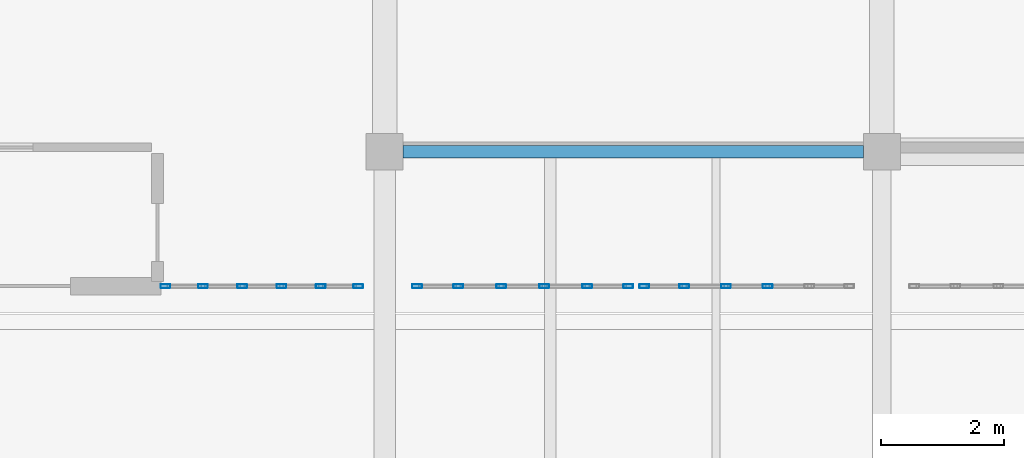
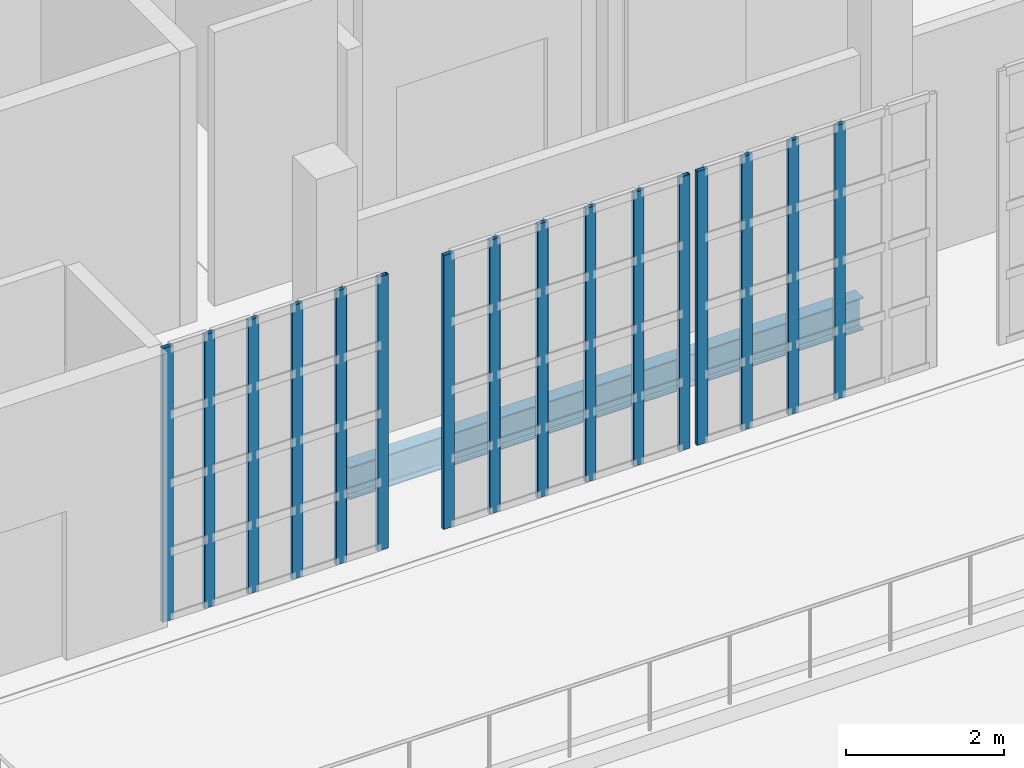
# One storey, part 20 of 56: 16 members, 1 beam, 3 elements without a shape of their own.
"""IFC4 building model written with IfcOpenShell, lengths in metres."""

from ifc_helpers import new_model, si_unit, direction, frame, origin, origin_2d, place, context, subcontext, project, spatial, hollow_rectangle, i_section, extrude, material, material_profile, profile_set, type_object, element, aggregate, save


model = new_model("IFC4")

# Units and contexts
model_context = context("Model", 3, precision=1e-05, world=origin(), true_north=direction((0.0, 1.0)))
body_context = subcontext(model_context, "Body", "Model", "MODEL_VIEW")
ifc_project = project(units=[si_unit("LENGTHUNIT", "METRE"), si_unit("AREAUNIT", "SQUARE_METRE"), si_unit("VOLUMEUNIT", "CUBIC_METRE"), si_unit("PLANEANGLEUNIT", "RADIAN"), si_unit("MASSUNIT", "GRAM", prefix="KILO")], contexts=[model_context])

# Site, building, storey
site_placement = place(None, origin())
site = spatial("IfcSite", under=ifc_project, at=site_placement, CompositionType="ELEMENT")
building_placement = place(site_placement, origin())
building = spatial("IfcBuilding", under=site, at=building_placement, Name="Kaelora Sail Theatre", CompositionType="ELEMENT")
storey_placement = place(building_placement, frame((0.0, 0.0, 14.699951171875)))
storey = spatial("IfcBuildingStorey", under=building, at=storey_placement, Name="L03", CompositionType="ELEMENT", Elevation=14.699951171875)

# Curtain wall, members
ifc_material_1 = material(Name="Anodised aluminium and solar-control low-E IGU", Category="aluminium")
curtain_wall_type = type_object("IfcCurtainWallType", Name="ARC-CW-CW-NWG", PredefinedType="NOTDEFINED", material=ifc_material_1)
curtain_wall_1_placement = place(storey_placement, origin())
curtain_wall_1 = element("IfcCurtainWall", 1, at=curtain_wall_1_placement, inside=storey, type_object=curtain_wall_type, Name="Glazed Foyer/Conservatory Curtain Wall NW4-S-L03-01", PredefinedType="NOTDEFINED")
ifc_material_2 = material(Name="Anodised aluminium 6063-T6", Category="aluminium")
ifc_material_profile_1 = material_profile(ifc_material_2, hollow_rectangle(XDim=0.06005859375, YDim=0.159912109375, WallThickness=0.00390625, InnerFilletRadius=0.00390625, OuterFilletRadius=0.008056640625, at=origin_2d()), Name="ALU-MULL 60x160x4")
ifc_profile_set_1 = profile_set([ifc_material_profile_1], Name="Anodised aluminium 6063-T6")
member_type = type_object("IfcMemberType", Name="ARC-MEM-ML-160", PredefinedType="MULLION", material=ifc_profile_set_1)
member_1_placement = place(storey_placement, frame((103.22998046875, 88.590087890625, 0.0), z_axis=(0.0, 0.0, 1.0), x_axis=(0.0, 1.0, 0.0)))
member_1 = element("IfcMember", 2, at=member_1_placement, type_object=member_type, Name="CW-NWG mullion 1", PredefinedType="MULLION", context=body_context, shape_type="SweptSolid", body=[
    extrude(hollow_rectangle(XDim=0.06005859375, YDim=0.159912109375, WallThickness=0.00390625, InnerFilletRadius=0.00390625, OuterFilletRadius=0.008056640625, at=origin_2d()), origin(), (0.0, 0.0, 1.0), 4.22509765625),
])
member_2_placement = place(storey_placement, frame((103.840087890625, 88.590087890625, 0.0), z_axis=(0.0, 0.0, 1.0), x_axis=(0.0, 1.0, 0.0)))
member_2 = element("IfcMember", 3, at=member_2_placement, type_object=member_type, Name="CW-NWG mullion 2", PredefinedType="MULLION", context=body_context, shape_type="SweptSolid", body=[
    extrude(hollow_rectangle(XDim=0.06005859375, YDim=0.159912109375, WallThickness=0.00390625, InnerFilletRadius=0.00390625, OuterFilletRadius=0.008056640625, at=origin_2d()), origin(), (0.0, 0.0, 1.0), 4.22509765625),
])
member_3_placement = place(storey_placement, frame((104.47998046875, 88.590087890625, 0.0), z_axis=(0.0, 0.0, 1.0), x_axis=(0.0, 1.0, 0.0)))
member_3 = element("IfcMember", 4, at=member_3_placement, type_object=member_type, Name="CW-NWG mullion 3", PredefinedType="MULLION", context=body_context, shape_type="SweptSolid", body=[
    extrude(hollow_rectangle(XDim=0.06005859375, YDim=0.159912109375, WallThickness=0.00390625, InnerFilletRadius=0.00390625, OuterFilletRadius=0.008056640625, at=origin_2d()), origin(), (0.0, 0.0, 1.0), 4.22509765625),
])
member_4_placement = place(storey_placement, frame((105.1201171875, 88.590087890625, 0.0), z_axis=(0.0, 0.0, 1.0), x_axis=(0.0, 1.0, 0.0)))
member_4 = element("IfcMember", 5, at=member_4_placement, type_object=member_type, Name="CW-NWG mullion 4", PredefinedType="MULLION", context=body_context, shape_type="SweptSolid", body=[
    extrude(hollow_rectangle(XDim=0.06005859375, YDim=0.159912109375, WallThickness=0.00390625, InnerFilletRadius=0.00390625, OuterFilletRadius=0.008056640625, at=origin_2d()), origin(), (0.0, 0.0, 1.0), 4.22509765625),
])
member_5_placement = place(storey_placement, frame((105.760009765625, 88.590087890625, 0.0), z_axis=(0.0, 0.0, 1.0), x_axis=(0.0, 1.0, 0.0)))
member_5 = element("IfcMember", 6, at=member_5_placement, type_object=member_type, Name="CW-NWG mullion 5", PredefinedType="MULLION", context=body_context, shape_type="SweptSolid", body=[
    extrude(hollow_rectangle(XDim=0.06005859375, YDim=0.159912109375, WallThickness=0.00390625, InnerFilletRadius=0.00390625, OuterFilletRadius=0.008056640625, at=origin_2d()), origin(), (0.0, 0.0, 1.0), 4.22509765625),
])
member_6_placement = place(storey_placement, frame((106.3701171875, 88.590087890625, 0.0), z_axis=(0.0, 0.0, 1.0), x_axis=(0.0, 1.0, 0.0)))
member_6 = element("IfcMember", 7, at=member_6_placement, type_object=member_type, Name="CW-NWG mullion 6", PredefinedType="MULLION", context=body_context, shape_type="SweptSolid", body=[
    extrude(hollow_rectangle(XDim=0.06005859375, YDim=0.159912109375, WallThickness=0.00390625, InnerFilletRadius=0.00390625, OuterFilletRadius=0.008056640625, at=origin_2d()), origin(), (0.0, 0.0, 1.0), 4.22509765625),
])
aggregate(curtain_wall_1, [member_1, member_2, member_3, member_4, member_5, member_6])

curtain_wall_2_placement = place(storey_placement, origin())
curtain_wall_2 = element("IfcCurtainWall", 8, at=curtain_wall_2_placement, inside=storey, type_object=curtain_wall_type, Name="Glazed Foyer/Conservatory Curtain Wall NW4-S-L03-02", PredefinedType="NOTDEFINED")
member_7_placement = place(storey_placement, frame((107.330078125, 88.590087890625, 0.0), z_axis=(0.0, 0.0, 1.0), x_axis=(0.0, 1.0, 0.0)))
member_7 = element("IfcMember", 9, at=member_7_placement, type_object=member_type, Name="CW-NWG mullion 1", PredefinedType="MULLION", context=body_context, shape_type="SweptSolid", body=[
    extrude(hollow_rectangle(XDim=0.06005859375, YDim=0.159912109375, WallThickness=0.00390625, InnerFilletRadius=0.00390625, OuterFilletRadius=0.008056640625, at=origin_2d()), origin(), (0.0, 0.0, 1.0), 4.22509765625),
])
member_8_placement = place(storey_placement, frame((108.0, 88.590087890625, 0.0), z_axis=(0.0, 0.0, 1.0), x_axis=(0.0, 1.0, 0.0)))
member_8 = element("IfcMember", 10, at=member_8_placement, type_object=member_type, Name="CW-NWG mullion 2", PredefinedType="MULLION", context=body_context, shape_type="SweptSolid", body=[
    extrude(hollow_rectangle(XDim=0.06005859375, YDim=0.159912109375, WallThickness=0.00390625, InnerFilletRadius=0.00390625, OuterFilletRadius=0.008056640625, at=origin_2d()), origin(), (0.0, 0.0, 1.0), 4.22509765625),
])
member_9_placement = place(storey_placement, frame((108.699951171875, 88.590087890625, 0.0), z_axis=(0.0, 0.0, 1.0), x_axis=(0.0, 1.0, 0.0)))
member_9 = element("IfcMember", 11, at=member_9_placement, type_object=member_type, Name="CW-NWG mullion 3", PredefinedType="MULLION", context=body_context, shape_type="SweptSolid", body=[
    extrude(hollow_rectangle(XDim=0.06005859375, YDim=0.159912109375, WallThickness=0.00390625, InnerFilletRadius=0.00390625, OuterFilletRadius=0.008056640625, at=origin_2d()), origin(), (0.0, 0.0, 1.0), 4.22509765625),
])
member_10_placement = place(storey_placement, frame((109.39990234375, 88.590087890625, 0.0), z_axis=(0.0, 0.0, 1.0), x_axis=(0.0, 1.0, 0.0)))
member_10 = element("IfcMember", 12, at=member_10_placement, type_object=member_type, Name="CW-NWG mullion 4", PredefinedType="MULLION", context=body_context, shape_type="SweptSolid", body=[
    extrude(hollow_rectangle(XDim=0.06005859375, YDim=0.159912109375, WallThickness=0.00390625, InnerFilletRadius=0.00390625, OuterFilletRadius=0.008056640625, at=origin_2d()), origin(), (0.0, 0.0, 1.0), 4.22509765625),
])
member_11_placement = place(storey_placement, frame((110.10009765625, 88.590087890625, 0.0), z_axis=(0.0, 0.0, 1.0), x_axis=(0.0, 1.0, 0.0)))
member_11 = element("IfcMember", 13, at=member_11_placement, type_object=member_type, Name="CW-NWG mullion 5", PredefinedType="MULLION", context=body_context, shape_type="SweptSolid", body=[
    extrude(hollow_rectangle(XDim=0.06005859375, YDim=0.159912109375, WallThickness=0.00390625, InnerFilletRadius=0.00390625, OuterFilletRadius=0.008056640625, at=origin_2d()), origin(), (0.0, 0.0, 1.0), 4.22509765625),
])
member_12_placement = place(storey_placement, frame((110.77001953125, 88.590087890625, 0.0), z_axis=(0.0, 0.0, 1.0), x_axis=(0.0, 1.0, 0.0)))
member_12 = element("IfcMember", 14, at=member_12_placement, type_object=member_type, Name="CW-NWG mullion 6", PredefinedType="MULLION", context=body_context, shape_type="SweptSolid", body=[
    extrude(hollow_rectangle(XDim=0.06005859375, YDim=0.159912109375, WallThickness=0.00390625, InnerFilletRadius=0.00390625, OuterFilletRadius=0.008056640625, at=origin_2d()), origin(), (0.0, 0.0, 1.0), 4.22509765625),
])
aggregate(curtain_wall_2, [member_7, member_8, member_9, member_10, member_11, member_12])

curtain_wall_3_placement = place(storey_placement, origin())
curtain_wall_3 = element("IfcCurtainWall", 15, at=curtain_wall_3_placement, inside=storey, type_object=curtain_wall_type, Name="Glazed Foyer/Conservatory Curtain Wall NW4-S-L03-03", PredefinedType="NOTDEFINED")
member_13_placement = place(storey_placement, frame((111.030029296875, 88.590087890625, 0.0), z_axis=(0.0, 0.0, 1.0), x_axis=(0.0, 1.0, 0.0)))
member_13 = element("IfcMember", 16, at=member_13_placement, type_object=member_type, Name="CW-NWG mullion 1", PredefinedType="MULLION", context=body_context, shape_type="SweptSolid", body=[
    extrude(hollow_rectangle(XDim=0.06005859375, YDim=0.159912109375, WallThickness=0.00390625, InnerFilletRadius=0.00390625, OuterFilletRadius=0.008056640625, at=origin_2d()), origin(), (0.0, 0.0, 1.0), 4.22509765625),
])
member_14_placement = place(storey_placement, frame((111.679931640625, 88.590087890625, 0.0), z_axis=(0.0, 0.0, 1.0), x_axis=(0.0, 1.0, 0.0)))
member_14 = element("IfcMember", 17, at=member_14_placement, type_object=member_type, Name="CW-NWG mullion 2", PredefinedType="MULLION", context=body_context, shape_type="SweptSolid", body=[
    extrude(hollow_rectangle(XDim=0.06005859375, YDim=0.159912109375, WallThickness=0.00390625, InnerFilletRadius=0.00390625, OuterFilletRadius=0.008056640625, at=origin_2d()), origin(), (0.0, 0.0, 1.0), 4.22509765625),
])
member_15_placement = place(storey_placement, frame((112.360107421875, 88.590087890625, 0.0), z_axis=(0.0, 0.0, 1.0), x_axis=(0.0, 1.0, 0.0)))
member_15 = element("IfcMember", 18, at=member_15_placement, type_object=member_type, Name="CW-NWG mullion 3", PredefinedType="MULLION", context=body_context, shape_type="SweptSolid", body=[
    extrude(hollow_rectangle(XDim=0.06005859375, YDim=0.159912109375, WallThickness=0.00390625, InnerFilletRadius=0.00390625, OuterFilletRadius=0.008056640625, at=origin_2d()), origin(), (0.0, 0.0, 1.0), 4.22509765625),
])
member_16_placement = place(storey_placement, frame((113.0400390625, 88.590087890625, 0.0), z_axis=(0.0, 0.0, 1.0), x_axis=(0.0, 1.0, 0.0)))
member_16 = element("IfcMember", 19, at=member_16_placement, type_object=member_type, Name="CW-NWG mullion 4", PredefinedType="MULLION", context=body_context, shape_type="SweptSolid", body=[
    extrude(hollow_rectangle(XDim=0.06005859375, YDim=0.159912109375, WallThickness=0.00390625, InnerFilletRadius=0.00390625, OuterFilletRadius=0.008056640625, at=origin_2d()), origin(), (0.0, 0.0, 1.0), 4.22509765625),
])
aggregate(curtain_wall_3, [member_13, member_14, member_15, member_16])

# Beam
ifc_material_3 = material(Name="Steel S355", Category="steel")
ifc_material_profile_2 = material_profile(ifc_material_3, i_section(OverallWidth=0.199951171875, OverallDepth=0.5, WebThickness=0.01025390625, FlangeThickness=0.01611328125, FilletRadius=0.02099609375, at=origin_2d()), Name="IPE 500")
ifc_profile_set_2 = profile_set([ifc_material_profile_2], Name="Steel S355")
beam_type = type_object("IfcBeamType", Name="STR-BM-BM-IPE500", PredefinedType="BEAM", material=ifc_profile_set_2)
beam_placement = place(storey_placement, frame((107.10009765625, 90.780029296875, -0.52490234375), z_axis=(1.0, 0.0, 0.0), x_axis=(0.0, 1.0, 0.0)))
element("IfcBeam", 20, at=beam_placement, inside=storey, type_object=beam_type, Name="Primary beam M 14-15 (L03)", PredefinedType="BEAM", context=body_context, shape_type="SweptSolid", body=[
    extrude(i_section(OverallWidth=0.199951171875, OverallDepth=0.5, WebThickness=0.01025390625, FlangeThickness=0.01611328125, FilletRadius=0.02099609375, at=origin_2d()), origin(), (0.0, 0.0, 1.0), 7.5),
])

save(model, "model.ifc")
